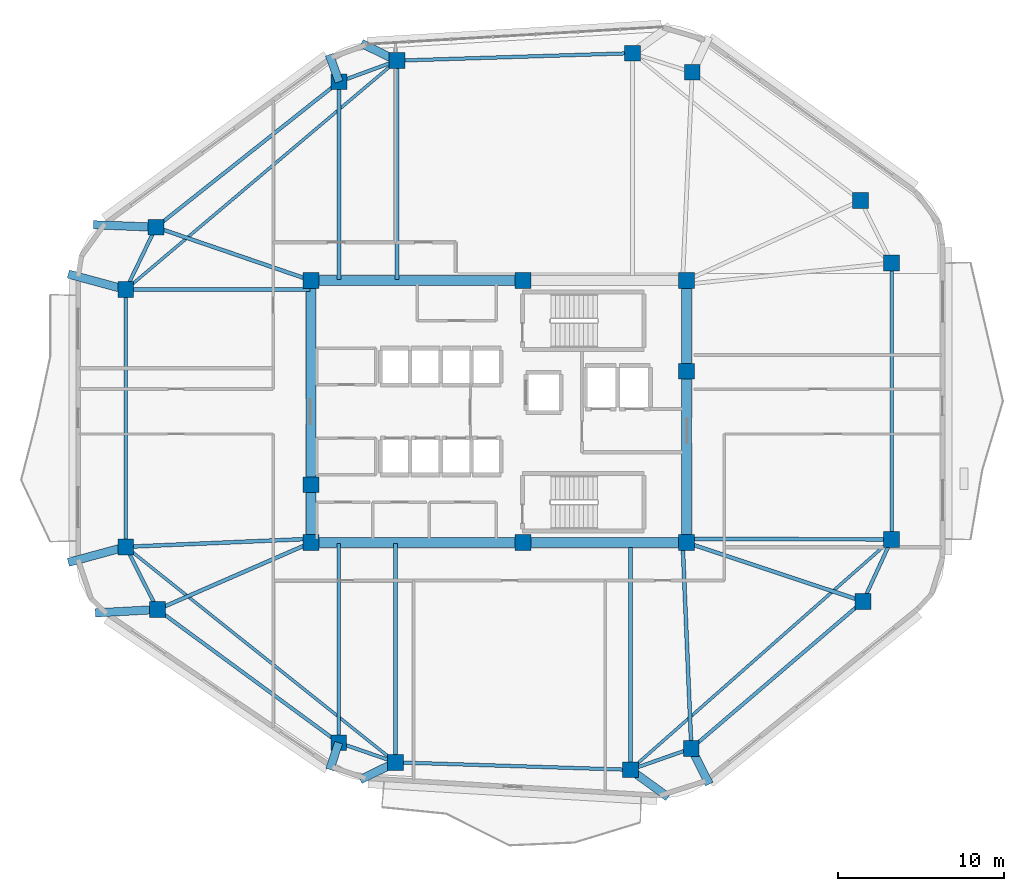
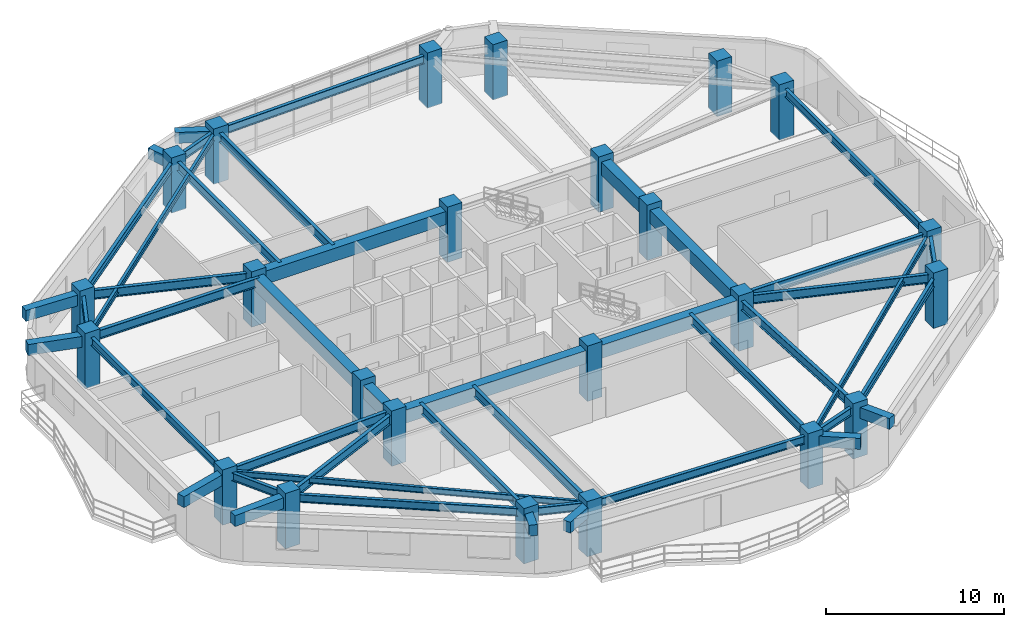
# One storey, part 1 of 14: 45 beams, 24 columns.
"""IFC4 building model written with IfcOpenShell, lengths in metres."""

from ifc_helpers import new_model, si_unit, direction, frame, origin, origin_2d, place, context, subcontext, project, spatial, rectangle, i_section, extrude, material, material_profile, profile_set, type_object, element, save


model = new_model("IFC4")

# Units and contexts
model_context = context("Model", 3, precision=1e-05, world=origin(), true_north=direction((0.0, 1.0)))
body_context = subcontext(model_context, "Body", "Model", "MODEL_VIEW")
ifc_project = project(units=[si_unit("LENGTHUNIT", "METRE"), si_unit("AREAUNIT", "SQUARE_METRE"), si_unit("VOLUMEUNIT", "CUBIC_METRE"), si_unit("PLANEANGLEUNIT", "RADIAN"), si_unit("MASSUNIT", "GRAM", prefix="KILO")], contexts=[model_context])

# Site, building, storey
site_placement = place(None, origin())
site = spatial("IfcSite", under=ifc_project, at=site_placement, CompositionType="ELEMENT")
building_placement = place(site_placement, origin())
building = spatial("IfcBuilding", under=site, at=building_placement, Name="Zulverin Broadcast Headquarters", CompositionType="ELEMENT")
storey_placement = place(building_placement, frame((0.0, 0.0, 216.199951171875)))
storey = spatial("IfcBuildingStorey", under=building, at=storey_placement, Name="L55", CompositionType="ELEMENT", Elevation=216.199951171875)

# Columns
ifc_material_1 = material(Name="Concrete C50/60", Category="concrete")
ifc_material_profile_1 = material_profile(ifc_material_1, rectangle(XDim=0.949951171875, YDim=0.949951171875, at=origin_2d()), Name="Concrete C50/60", Category="concrete")
ifc_profile_set_1 = profile_set([ifc_material_profile_1], Name="Concrete C50/60")
column_type_1 = type_object("IfcColumnType", Name="COL-RC-950", PredefinedType="COLUMN", material=ifc_profile_set_1)
for number, where, z_axis, x_axis, name in (
    (1, (30.80859375, 4.12744140625, 0.0), (0.0, 0.0, 1.0), (1.0, 0.0, 0.0), "L55 Perimeter Column T01"),
    (2, (44.909912109375, 3.68017578125, 0.0), (0.0, 0.0, 1.0), (1.0, 0.0, 0.0), "L55 Perimeter Column T02"),
    (3, (48.569580078125, 4.967041015625, 0.0), (0.0, 0.0, 1.0), (1.0, 0.0, 0.0), "L55 Perimeter Column T03"),
    (4, (58.886962890625, 13.798095703125, 0.0), (0.0, 0.0, 1.0), (1.0, 0.0, 0.0), "L55 Perimeter Column T04"),
    (5, (60.60009765625, 17.519287109375, 0.0), (0.0, 0.0, 1.0), (1.0, 0.0, 0.0), "L55 Perimeter Column T05"),
    (6, (60.60009765625, 34.12158203125, 0.0), (0.0, 0.0, 1.0), (1.0, 0.0, 0.0), "L55 Perimeter Column T06"),
    (7, (58.738037109375, 37.877685546875, 0.0), (0.0, 0.0, 1.0), (1.0, 0.0, 0.0), "L55 Perimeter Column T07"),
    (8, (48.62158203125, 45.574951171875, 0.0), (0.0, 0.0, 1.0), (1.0, 0.0, 0.0), "L55 Perimeter Column T08"),
    (9, (45.027587890625, 46.7236328125, 0.0), (0.0, 0.0, 1.0), (1.0, 0.0, 0.0), "L55 Perimeter Column T09"),
    (10, (30.882080078125, 46.27490234375, 0.0), (0.0, 0.0, 1.0), (1.0, 0.0, 0.0), "L55 Perimeter Column T10"),
    (11, (27.416259765625, 45.00439453125, 0.0), (0.0, 0.0, 1.0), (1.0, 0.0, 0.0), "L55 Perimeter Column T11"),
    (12, (16.40869140625, 36.26806640625, 0.0), (0.0, 0.0, 1.0), (1.0, 0.0, 0.0), "L55 Perimeter Column T12"),
    (13, (14.60009765625, 32.523193359375, 0.0), (0.0, 0.0, 1.0), (1.0, 0.0, 0.0), "L55 Perimeter Column T13"),
    (14, (14.60009765625, 17.072021484375, 0.0), (0.0, 0.0, 1.0), (1.0, 0.0, 0.0), "L55 Perimeter Column T14"),
    (15, (16.50537109375, 13.306884765625, 0.0), (0.0, 0.0, 1.0), (1.0, 0.0, 0.0), "L55 Perimeter Column T15"),
    (16, (27.38720703125, 5.309814453125, 0.0), (0.0, 0.0, 1.0), (1.0, 0.0, 0.0), "L55 Perimeter Column T16"),
):
    element("IfcColumn", number, at=place(storey_placement, frame(where, z_axis=z_axis, x_axis=x_axis)), inside=storey, type_object=column_type_1, Name=name, PredefinedType="COLUMN", context=body_context, shape_type="SweptSolid", body=[
        extrude(rectangle(XDim=0.949951171875, YDim=0.949951171875, at=origin_2d()), origin(), (0.0, 0.0, 1.0), 3.800048828125),
    ])
ifc_material_profile_2 = material_profile(ifc_material_1, rectangle(XDim=0.949951171875, YDim=0.949951171875, at=origin_2d()), Name="Concrete C50/60", Category="concrete")
ifc_profile_set_2 = profile_set([ifc_material_profile_2], Name="Concrete C50/60")
column_type_2 = type_object("IfcColumnType", Name="PIL-RC-950", PredefinedType="PILASTER", material=ifc_profile_set_2)
for number, where, z_axis, x_axis, name in (
    (17, (25.72509765625, 17.324951171875, 0.0), (0.0, 0.0, 1.0), (1.0, 0.0, 0.0), "L55 Core Pilaster K01"),
    (18, (38.449951171875, 17.324951171875, 0.0), (0.0, 0.0, 1.0), (1.0, 0.0, 0.0), "L55 Core Pilaster K02"),
    (19, (48.27490234375, 17.324951171875, 0.0), (0.0, 0.0, 1.0), (1.0, 0.0, 0.0), "L55 Core Pilaster K03"),
    (20, (48.27490234375, 27.6201171875, 0.0), (0.0, 0.0, 1.0), (1.0, 0.0, 0.0), "L55 Core Pilaster K04"),
    (21, (48.27490234375, 33.074951171875, 0.0), (0.0, 0.0, 1.0), (1.0, 0.0, 0.0), "L55 Core Pilaster K05"),
    (22, (38.449951171875, 33.074951171875, 0.0), (0.0, 0.0, 1.0), (1.0, 0.0, 0.0), "L55 Core Pilaster K06"),
    (23, (25.72509765625, 33.074951171875, 0.0), (0.0, 0.0, 1.0), (1.0, 0.0, 0.0), "L55 Core Pilaster K07"),
    (24, (25.72509765625, 20.800048828125, 0.0), (0.0, 0.0, 1.0), (1.0, 0.0, 0.0), "L55 Core Pilaster K08"),
):
    element("IfcColumn", number, at=place(storey_placement, frame(where, z_axis=z_axis, x_axis=x_axis)), inside=storey, type_object=column_type_2, Name=name, PredefinedType="PILASTER", context=body_context, shape_type="SweptSolid", body=[
        extrude(rectangle(XDim=0.949951171875, YDim=0.949951171875, at=origin_2d()), origin(), (0.0, 0.0, 1.0), 3.800048828125),
    ])

# Beams
ifc_material_2 = material(Name="Concrete C60/75", Category="concrete")
ifc_material_profile_3 = material_profile(ifc_material_2, rectangle(XDim=0.60009765625, YDim=0.89990234375, at=origin_2d()), Name="Concrete C60/75", Category="concrete")
ifc_profile_set_3 = profile_set([ifc_material_profile_3], Name="Concrete C60/75")
beam_type_1 = type_object("IfcBeamType", Name="BM-CB-600x900", PredefinedType="LINTEL", material=ifc_profile_set_3)
beam_1_placement = place(storey_placement, frame((25.72509765625, 17.324951171875, 2.949951171875), z_axis=(1.0, 0.0, 0.0), x_axis=(0.0, 1.0, 0.0)))
element("IfcBeam", 25, at=beam_1_placement, inside=storey, type_object=beam_type_1, Name="L55 Core Coupling Girder K01-K02", PredefinedType="LINTEL", context=body_context, shape_type="SweptSolid", body=[
    extrude(rectangle(XDim=0.60009765625, YDim=0.89990234375, at=origin_2d()), origin(), (0.0, 0.0, 1.0), 12.724853515625),
])
beam_2_placement = place(storey_placement, frame((38.449951171875, 17.324951171875, 2.949951171875), z_axis=(1.0, 0.0, 0.0), x_axis=(0.0, 1.0, 0.0)))
element("IfcBeam", 26, at=beam_2_placement, inside=storey, type_object=beam_type_1, Name="L55 Core Coupling Girder K02-K03", PredefinedType="LINTEL", context=body_context, shape_type="SweptSolid", body=[
    extrude(rectangle(XDim=0.60009765625, YDim=0.89990234375, at=origin_2d()), origin(), (0.0, 0.0, 1.0), 9.824951171875),
])
beam_3_placement = place(storey_placement, frame((48.27490234375, 17.324951171875, 2.949951171875), z_axis=(0.0, 1.0, 0.0), x_axis=(-1.0, 0.0, 0.0)))
element("IfcBeam", 27, at=beam_3_placement, inside=storey, type_object=beam_type_1, Name="L55 Core Coupling Girder K03-K04", PredefinedType="LINTEL", context=body_context, shape_type="SweptSolid", body=[
    extrude(rectangle(XDim=0.60009765625, YDim=0.89990234375, at=origin_2d()), origin(), (0.0, 0.0, 1.0), 10.295166015625),
])
beam_4_placement = place(storey_placement, frame((48.27490234375, 27.6201171875, 2.949951171875), z_axis=(0.0, 1.0, 0.0), x_axis=(-1.0, 0.0, 0.0)))
element("IfcBeam", 28, at=beam_4_placement, inside=storey, type_object=beam_type_1, Name="L55 Core Coupling Girder K04-K05", PredefinedType="LINTEL", context=body_context, shape_type="SweptSolid", body=[
    extrude(rectangle(XDim=0.60009765625, YDim=0.89990234375, at=origin_2d()), origin(), (0.0, 0.0, 1.0), 5.454833984375),
])
beam_5_placement = place(storey_placement, frame((38.449951171875, 33.074951171875, 2.949951171875), z_axis=(-1.0, 0.0, 0.0), x_axis=(0.0, -1.0, 0.0)))
element("IfcBeam", 29, at=beam_5_placement, inside=storey, type_object=beam_type_1, Name="L55 Core Coupling Girder K06-K07", PredefinedType="LINTEL", context=body_context, shape_type="SweptSolid", body=[
    extrude(rectangle(XDim=0.60009765625, YDim=0.89990234375, at=origin_2d()), origin(), (0.0, 0.0, 1.0), 12.724853515625),
])
beam_6_placement = place(storey_placement, frame((25.72509765625, 33.074951171875, 2.949951171875), z_axis=(0.0, -1.0, 0.0), x_axis=(1.0, 0.0, 0.0)))
element("IfcBeam", 30, at=beam_6_placement, inside=storey, type_object=beam_type_1, Name="L55 Core Coupling Girder K07-K08", PredefinedType="LINTEL", context=body_context, shape_type="SweptSolid", body=[
    extrude(rectangle(XDim=0.60009765625, YDim=0.89990234375, at=origin_2d()), origin(), (0.0, 0.0, 1.0), 12.27490234375),
])
beam_7_placement = place(storey_placement, frame((25.72509765625, 20.800048828125, 2.949951171875), z_axis=(0.0, -1.0, 0.0), x_axis=(1.0, 0.0, 0.0)))
element("IfcBeam", 31, at=beam_7_placement, inside=storey, type_object=beam_type_1, Name="L55 Core Coupling Girder K08-K01", PredefinedType="LINTEL", context=body_context, shape_type="SweptSolid", body=[
    extrude(rectangle(XDim=0.60009765625, YDim=0.89990234375, at=origin_2d()), origin(), (0.0, 0.0, 1.0), 3.47509765625),
])
ifc_material_3 = material(Name="Concrete C40/50", Category="concrete")
ifc_material_profile_4 = material_profile(ifc_material_3, rectangle(XDim=0.5, YDim=0.75, at=origin_2d()), Name="Concrete C40/50", Category="concrete")
ifc_profile_set_4 = profile_set([ifc_material_profile_4], Name="Concrete C40/50")
beam_type_2 = type_object("IfcBeamType", Name="BM-RC-500x750", PredefinedType="BEAM", material=ifc_profile_set_4)
beam_8_placement = place(storey_placement, frame((30.80859375, 4.12744140625, 3.025146484375), z_axis=(-0.898788224994, -0.438383082033, 0.0), x_axis=(0.438383082033, -0.898788224994, 0.0)))
element("IfcBeam", 32, at=beam_8_placement, inside=storey, type_object=beam_type_2, Name="L56 Plate Overhang Back-Spanned Beam OVR-01", PredefinedType="BEAM", context=body_context, shape_type="SweptSolid", body=[
    extrude(rectangle(XDim=0.5, YDim=0.75, at=origin_2d()), origin(), (0.0, 0.0, 1.0), 2.37255859375),
])
beam_9_placement = place(storey_placement, frame((44.909912109375, 3.68017578125, 3.025146484375), z_axis=(0.809819408398, -0.586679235854, 0.0), x_axis=(0.586679235854, 0.809819408398, 0.0)))
element("IfcBeam", 33, at=beam_9_placement, inside=storey, type_object=beam_type_2, Name="L56 Plate Overhang Back-Spanned Beam OVR-02", PredefinedType="BEAM", context=body_context, shape_type="SweptSolid", body=[
    extrude(rectangle(XDim=0.5, YDim=0.75, at=origin_2d()), origin(), (0.0, 0.0, 1.0), 2.80322265625),
])
beam_10_placement = place(storey_placement, frame((48.569580078125, 4.967041015625, 3.025146484375), z_axis=(0.448997742216, -0.893532891104, 0.0), x_axis=(0.893532891104, 0.448997742216, 0.0)))
element("IfcBeam", 34, at=beam_10_placement, inside=storey, type_object=beam_type_2, Name="L56 Plate Overhang Back-Spanned Beam OVR-03", PredefinedType="BEAM", context=body_context, shape_type="SweptSolid", body=[
    extrude(rectangle(XDim=0.5, YDim=0.75, at=origin_2d()), origin(), (0.0, 0.0, 1.0), 2.4072265625),
])
beam_11_placement = place(storey_placement, frame((30.882080078125, 46.27490234375, 3.025146484375), z_axis=(-0.898125825882, 0.439738559696, 0.0), x_axis=(-0.439738559696, -0.898125825882, 0.0)))
element("IfcBeam", 35, at=beam_11_placement, inside=storey, type_object=beam_type_2, Name="L56 Plate Overhang Back-Spanned Beam OVR-10", PredefinedType="BEAM", context=body_context, shape_type="SweptSolid", body=[
    extrude(rectangle(XDim=0.5, YDim=0.75, at=origin_2d()), origin(), (0.0, 0.0, 1.0), 2.36962890625),
])
beam_12_placement = place(storey_placement, frame((27.416259765625, 45.00439453125, 3.025146484375), z_axis=(-0.340939464108, 0.940085252418, 0.0), x_axis=(-0.940085252418, -0.340939464108, 0.0)))
element("IfcBeam", 36, at=beam_12_placement, inside=storey, type_object=beam_type_2, Name="L56 Plate Overhang Back-Spanned Beam OVR-11", PredefinedType="BEAM", context=body_context, shape_type="SweptSolid", body=[
    extrude(rectangle(XDim=0.5, YDim=0.75, at=origin_2d()), origin(), (0.0, 0.0, 1.0), 1.732177734375),
])
beam_13_placement = place(storey_placement, frame((16.40869140625, 36.26806640625, 3.025146484375), z_axis=(-0.999204701218, 0.039874366011, 0.0), x_axis=(-0.039874366011, -0.999204701218, 0.0)))
element("IfcBeam", 37, at=beam_13_placement, inside=storey, type_object=beam_type_2, Name="L56 Plate Overhang Back-Spanned Beam OVR-12", PredefinedType="BEAM", context=body_context, shape_type="SweptSolid", body=[
    extrude(rectangle(XDim=0.5, YDim=0.75, at=origin_2d()), origin(), (0.0, 0.0, 1.0), 3.7470703125),
])
beam_14_placement = place(storey_placement, frame((14.60009765625, 32.523193359375, 3.025146484375), z_axis=(-0.965250783157, 0.261325325245, 0.0), x_axis=(-0.261325325245, -0.965250783157, 0.0)))
element("IfcBeam", 38, at=beam_14_placement, inside=storey, type_object=beam_type_2, Name="L56 Plate Overhang Back-Spanned Beam OVR-13", PredefinedType="BEAM", context=body_context, shape_type="SweptSolid", body=[
    extrude(rectangle(XDim=0.5, YDim=0.75, at=origin_2d()), origin(), (0.0, 0.0, 1.0), 3.574462890625),
])
beam_15_placement = place(storey_placement, frame((14.60009765625, 17.072021484375, 3.025146484375), z_axis=(-0.965285233847, -0.261198042332, 0.0), x_axis=(0.261198042332, -0.965285233847, 0.0)))
element("IfcBeam", 39, at=beam_15_placement, inside=storey, type_object=beam_type_2, Name="L56 Plate Overhang Back-Spanned Beam OVR-14", PredefinedType="BEAM", context=body_context, shape_type="SweptSolid", body=[
    extrude(rectangle(XDim=0.5, YDim=0.75, at=origin_2d()), origin(), (0.0, 0.0, 1.0), 3.57421875),
])
beam_16_placement = place(storey_placement, frame((16.50537109375, 13.306884765625, 3.025146484375), z_axis=(-0.998515514192, -0.054468044924, 0.0), x_axis=(0.054468044924, -0.998515514192, 0.0)))
element("IfcBeam", 40, at=beam_16_placement, inside=storey, type_object=beam_type_2, Name="L56 Plate Overhang Back-Spanned Beam OVR-15", PredefinedType="BEAM", context=body_context, shape_type="SweptSolid", body=[
    extrude(rectangle(XDim=0.5, YDim=0.75, at=origin_2d()), origin(), (0.0, 0.0, 1.0), 3.73828125),
])
beam_17_placement = place(storey_placement, frame((27.38720703125, 5.309814453125, 3.025146484375), z_axis=(-0.312733243751, -0.9498409963, 0.0), x_axis=(0.9498409963, -0.312733243751, 0.0)))
element("IfcBeam", 41, at=beam_17_placement, inside=storey, type_object=beam_type_2, Name="L56 Plate Overhang Back-Spanned Beam OVR-16", PredefinedType="BEAM", context=body_context, shape_type="SweptSolid", body=[
    extrude(rectangle(XDim=0.5, YDim=0.75, at=origin_2d()), origin(), (0.0, 0.0, 1.0), 1.69873046875),
])
ifc_material_4 = material(Name="Structural steel S355JR", Category="steel")
ifc_material_profile_5 = material_profile(ifc_material_4, i_section(OverallWidth=0.179443359375, OverallDepth=0.412841796875, WebThickness=0.009521484375, FlangeThickness=0.01611328125, at=origin_2d()), Name="Structural steel S355JR", Category="steel")
ifc_profile_set_5 = profile_set([ifc_material_profile_5], Name="Structural steel S355JR")
beam_type_3 = type_object("IfcBeamType", Name="BM-UB-406", PredefinedType="JOIST", material=ifc_profile_set_5)
beam_18_placement = place(storey_placement, frame((44.909912109375, 3.68017578125, 3.193603515625), z_axis=(0.74996043981, 0.661482682102, 0.0), x_axis=(-0.661482682102, 0.74996043981, 0.0)))
element("IfcBeam", 42, at=beam_18_placement, inside=storey, type_object=beam_type_3, Name="L55 Chordal Floor Joist J-01", PredefinedType="JOIST", context=body_context, shape_type="SweptSolid", body=[
    extrude(i_section(OverallWidth=0.179443359375, OverallDepth=0.412841796875, WebThickness=0.009521484375, FlangeThickness=0.01611328125, at=origin_2d()), origin(), (0.0, 0.0, 1.0), 20.92138671875),
])
beam_19_placement = place(storey_placement, frame((30.882080078125, 46.27490234375, 3.193603515625), z_axis=(-0.763972566446, -0.645248725468, 0.0), x_axis=(0.645248725468, -0.763972566446, 0.0)))
element("IfcBeam", 43, at=beam_19_placement, inside=storey, type_object=beam_type_3, Name="L55 Chordal Floor Joist J-03", PredefinedType="JOIST", context=body_context, shape_type="SweptSolid", body=[
    extrude(i_section(OverallWidth=0.179443359375, OverallDepth=0.412841796875, WebThickness=0.009521484375, FlangeThickness=0.01611328125, at=origin_2d()), origin(), (0.0, 0.0, 1.0), 21.312255859375),
])
beam_20_placement = place(storey_placement, frame((14.60009765625, 17.072021484375, 3.193603515625), z_axis=(0.781390996609, -0.624041753746, 0.0), x_axis=(0.624041753746, 0.781390996609, 0.0)))
element("IfcBeam", 44, at=beam_20_placement, inside=storey, type_object=beam_type_3, Name="L55 Chordal Floor Joist J-04", PredefinedType="JOIST", context=body_context, shape_type="SweptSolid", body=[
    extrude(i_section(OverallWidth=0.179443359375, OverallDepth=0.412841796875, WebThickness=0.009521484375, FlangeThickness=0.01611328125, at=origin_2d()), origin(), (0.0, 0.0, 1.0), 20.7431640625),
])
ifc_material_profile_6 = material_profile(ifc_material_4, i_section(OverallWidth=0.2119140625, OverallDepth=0.54443359375, WebThickness=0.0126953125, FlangeThickness=0.021240234375, at=origin_2d()), Name="Structural steel S355JR", Category="steel")
ifc_profile_set_6 = profile_set([ifc_material_profile_6], Name="Structural steel S355JR")
beam_type_4 = type_object("IfcBeamType", Name="BM-UB-533", PredefinedType="SPANDREL", material=ifc_profile_set_6)
beam_21_placement = place(storey_placement, frame((30.80859375, 4.12744140625, 3.127685546875), z_axis=(0.999497363437, -0.031702058031, 0.0), x_axis=(0.031702058031, 0.999497363437, 0.0)))
element("IfcBeam", 45, at=beam_21_placement, inside=storey, type_object=beam_type_4, Name="L55 Perimeter Spandrel Beam SP-01", PredefinedType="SPANDREL", context=body_context, shape_type="SweptSolid", body=[
    extrude(i_section(OverallWidth=0.2119140625, OverallDepth=0.54443359375, WebThickness=0.0126953125, FlangeThickness=0.021240234375, at=origin_2d()), origin(), (0.0, 0.0, 1.0), 14.1083984375),
])
beam_22_placement = place(storey_placement, frame((44.909912109375, 3.68017578125, 3.127685546875), z_axis=(0.943376593622, 0.331723684121, 0.0), x_axis=(-0.331723684121, 0.943376593622, 0.0)))
element("IfcBeam", 46, at=beam_22_placement, inside=storey, type_object=beam_type_4, Name="L55 Perimeter Spandrel Beam SP-02", PredefinedType="SPANDREL", context=body_context, shape_type="SweptSolid", body=[
    extrude(i_section(OverallWidth=0.2119140625, OverallDepth=0.54443359375, WebThickness=0.0126953125, FlangeThickness=0.021240234375, at=origin_2d()), origin(), (0.0, 0.0, 1.0), 3.87939453125),
])
beam_23_placement = place(storey_placement, frame((48.569580078125, 4.967041015625, 3.127685546875), z_axis=(0.759708170965, 0.650264173217, 0.0), x_axis=(-0.650264173217, 0.759708170965, 0.0)))
element("IfcBeam", 47, at=beam_23_placement, inside=storey, type_object=beam_type_4, Name="L55 Perimeter Spandrel Beam SP-03", PredefinedType="SPANDREL", context=body_context, shape_type="SweptSolid", body=[
    extrude(i_section(OverallWidth=0.2119140625, OverallDepth=0.54443359375, WebThickness=0.0126953125, FlangeThickness=0.021240234375, at=origin_2d()), origin(), (0.0, 0.0, 1.0), 13.580810546875),
])
beam_24_placement = place(storey_placement, frame((58.886962890625, 13.798095703125, 3.127685546875), z_axis=(0.418184975358, 0.90836189175, 0.0), x_axis=(-0.90836189175, 0.418184975358, 0.0)))
element("IfcBeam", 48, at=beam_24_placement, inside=storey, type_object=beam_type_4, Name="L55 Perimeter Spandrel Beam SP-04", PredefinedType="SPANDREL", context=body_context, shape_type="SweptSolid", body=[
    extrude(i_section(OverallWidth=0.2119140625, OverallDepth=0.54443359375, WebThickness=0.0126953125, FlangeThickness=0.021240234375, at=origin_2d()), origin(), (0.0, 0.0, 1.0), 4.0966796875),
])
beam_25_placement = place(storey_placement, frame((60.60009765625, 17.519287109375, 3.127685546875), z_axis=(0.0, 1.0, 0.0), x_axis=(-1.0, 0.0, 0.0)))
element("IfcBeam", 49, at=beam_25_placement, inside=storey, type_object=beam_type_4, Name="L55 Perimeter Spandrel Beam SP-05", PredefinedType="SPANDREL", context=body_context, shape_type="SweptSolid", body=[
    extrude(i_section(OverallWidth=0.2119140625, OverallDepth=0.54443359375, WebThickness=0.0126953125, FlangeThickness=0.021240234375, at=origin_2d()), origin(), (0.0, 0.0, 1.0), 16.602294921875),
])
beam_26_placement = place(storey_placement, frame((45.027587890625, 46.7236328125, 3.127685546875), z_axis=(-0.999497221833, -0.031706522156, 0.0), x_axis=(0.031706522156, -0.999497221833, 0.0)))
element("IfcBeam", 50, at=beam_26_placement, inside=storey, type_object=beam_type_4, Name="L55 Perimeter Spandrel Beam SP-09", PredefinedType="SPANDREL", context=body_context, shape_type="SweptSolid", body=[
    extrude(i_section(OverallWidth=0.2119140625, OverallDepth=0.54443359375, WebThickness=0.0126953125, FlangeThickness=0.021240234375, at=origin_2d()), origin(), (0.0, 0.0, 1.0), 14.152587890625),
])
beam_27_placement = place(storey_placement, frame((30.882080078125, 46.27490234375, 3.127685546875), z_axis=(-0.938901965426, -0.344184687805, 0.0), x_axis=(0.344184687805, -0.938901965426, 0.0)))
element("IfcBeam", 51, at=beam_27_placement, inside=storey, type_object=beam_type_4, Name="L55 Perimeter Spandrel Beam SP-10", PredefinedType="SPANDREL", context=body_context, shape_type="SweptSolid", body=[
    extrude(i_section(OverallWidth=0.2119140625, OverallDepth=0.54443359375, WebThickness=0.0126953125, FlangeThickness=0.021240234375, at=origin_2d()), origin(), (0.0, 0.0, 1.0), 3.69140625),
])
beam_28_placement = place(storey_placement, frame((27.416259765625, 45.00439453125, 3.127685546875), z_axis=(-0.783283263401, -0.621664965457, 0.0), x_axis=(0.621664965457, -0.783283263401, 0.0)))
element("IfcBeam", 52, at=beam_28_placement, inside=storey, type_object=beam_type_4, Name="L55 Perimeter Spandrel Beam SP-11", PredefinedType="SPANDREL", context=body_context, shape_type="SweptSolid", body=[
    extrude(i_section(OverallWidth=0.2119140625, OverallDepth=0.54443359375, WebThickness=0.0126953125, FlangeThickness=0.021240234375, at=origin_2d()), origin(), (0.0, 0.0, 1.0), 14.05322265625),
])
beam_29_placement = place(storey_placement, frame((16.40869140625, 36.26806640625, 3.127685546875), z_axis=(-0.434890248034, -0.900483465792, 0.0), x_axis=(0.900483465792, -0.434890248034, 0.0)))
element("IfcBeam", 53, at=beam_29_placement, inside=storey, type_object=beam_type_4, Name="L55 Perimeter Spandrel Beam SP-12", PredefinedType="SPANDREL", context=body_context, shape_type="SweptSolid", body=[
    extrude(i_section(OverallWidth=0.2119140625, OverallDepth=0.54443359375, WebThickness=0.0126953125, FlangeThickness=0.021240234375, at=origin_2d()), origin(), (0.0, 0.0, 1.0), 4.15869140625),
])
beam_30_placement = place(storey_placement, frame((14.60009765625, 32.523193359375, 3.127685546875), z_axis=(0.0, -1.0, 0.0), x_axis=(1.0, 0.0, 0.0)))
element("IfcBeam", 54, at=beam_30_placement, inside=storey, type_object=beam_type_4, Name="L55 Perimeter Spandrel Beam SP-13", PredefinedType="SPANDREL", context=body_context, shape_type="SweptSolid", body=[
    extrude(i_section(OverallWidth=0.2119140625, OverallDepth=0.54443359375, WebThickness=0.0126953125, FlangeThickness=0.021240234375, at=origin_2d()), origin(), (0.0, 0.0, 1.0), 15.451171875),
])
beam_31_placement = place(storey_placement, frame((14.60009765625, 17.072021484375, 3.127685546875), z_axis=(0.451512947895, -0.892264567201, 0.0), x_axis=(0.892264567201, 0.451512947895, 0.0)))
element("IfcBeam", 55, at=beam_31_placement, inside=storey, type_object=beam_type_4, Name="L55 Perimeter Spandrel Beam SP-14", PredefinedType="SPANDREL", context=body_context, shape_type="SweptSolid", body=[
    extrude(i_section(OverallWidth=0.2119140625, OverallDepth=0.54443359375, WebThickness=0.0126953125, FlangeThickness=0.021240234375, at=origin_2d()), origin(), (0.0, 0.0, 1.0), 4.2197265625),
])
beam_32_placement = place(storey_placement, frame((16.50537109375, 13.306884765625, 3.127685546875), z_axis=(0.805802234061, -0.592184734338, 0.0), x_axis=(0.592184734338, 0.805802234061, 0.0)))
element("IfcBeam", 56, at=beam_32_placement, inside=storey, type_object=beam_type_4, Name="L55 Perimeter Spandrel Beam SP-15", PredefinedType="SPANDREL", context=body_context, shape_type="SweptSolid", body=[
    extrude(i_section(OverallWidth=0.2119140625, OverallDepth=0.54443359375, WebThickness=0.0126953125, FlangeThickness=0.021240234375, at=origin_2d()), origin(), (0.0, 0.0, 1.0), 13.50439453125),
])
beam_33_placement = place(storey_placement, frame((27.38720703125, 5.309814453125, 3.127685546875), z_axis=(0.945152732867, -0.326628705956, 0.0), x_axis=(0.326628705956, 0.945152732867, 0.0)))
element("IfcBeam", 57, at=beam_33_placement, inside=storey, type_object=beam_type_4, Name="L55 Perimeter Spandrel Beam SP-16", PredefinedType="SPANDREL", context=body_context, shape_type="SweptSolid", body=[
    extrude(i_section(OverallWidth=0.2119140625, OverallDepth=0.54443359375, WebThickness=0.0126953125, FlangeThickness=0.021240234375, at=origin_2d()), origin(), (0.0, 0.0, 1.0), 3.619873046875),
])
ifc_material_profile_7 = material_profile(ifc_material_4, i_section(OverallWidth=0.230224609375, OverallDepth=0.6171875, WebThickness=0.01318359375, FlangeThickness=0.022216796875, at=origin_2d()), Name="Structural steel S355JR", Category="steel")
ifc_profile_set_7 = profile_set([ifc_material_profile_7], Name="Structural steel S355JR")
beam_type_5 = type_object("IfcBeamType", Name="BM-UB-610", PredefinedType="BEAM", material=ifc_profile_set_7)
beam_34_placement = place(storey_placement, frame((30.80859375, 17.27490234375, 3.091552734375), z_axis=(0.0, -1.0, 0.0), x_axis=(1.0, 0.0, 0.0)))
element("IfcBeam", 58, at=beam_34_placement, inside=storey, type_object=beam_type_5, Name="L55 Radial Primary Floor Beam RB-01", PredefinedType="BEAM", context=body_context, shape_type="SweptSolid", body=[
    extrude(i_section(OverallWidth=0.230224609375, OverallDepth=0.6171875, WebThickness=0.01318359375, FlangeThickness=0.022216796875, at=origin_2d()), origin(), (0.0, 0.0, 1.0), 13.1474609375),
])
beam_35_placement = place(storey_placement, frame((44.909912109375, 17.27490234375, 3.091552734375), z_axis=(0.0, -1.0, 0.0), x_axis=(1.0, 0.0, 0.0)))
element("IfcBeam", 59, at=beam_35_placement, inside=storey, type_object=beam_type_5, Name="L55 Radial Primary Floor Beam RB-02", PredefinedType="BEAM", context=body_context, shape_type="SweptSolid", body=[
    extrude(i_section(OverallWidth=0.230224609375, OverallDepth=0.6171875, WebThickness=0.01318359375, FlangeThickness=0.022216796875, at=origin_2d()), origin(), (0.0, 0.0, 1.0), 13.5947265625),
])
beam_36_placement = place(storey_placement, frame((48.050048828125, 17.27490234375, 3.091552734375), z_axis=(0.042173778549, -0.99911029041, 0.0), x_axis=(0.99911029041, 0.042173778549, 0.0)))
element("IfcBeam", 60, at=beam_36_placement, inside=storey, type_object=beam_type_5, Name="L55 Radial Primary Floor Beam RB-03", PredefinedType="BEAM", context=body_context, shape_type="SweptSolid", body=[
    extrude(i_section(OverallWidth=0.230224609375, OverallDepth=0.6171875, WebThickness=0.01318359375, FlangeThickness=0.022216796875, at=origin_2d()), origin(), (0.0, 0.0, 1.0), 12.31884765625),
])
beam_37_placement = place(storey_placement, frame((48.27490234375, 17.324951171875, 3.091552734375), z_axis=(0.948964552547, -0.315382748432, 0.0), x_axis=(0.315382748432, 0.948964552547, 0.0)))
element("IfcBeam", 61, at=beam_37_placement, inside=storey, type_object=beam_type_5, Name="L55 Radial Primary Floor Beam RB-04", PredefinedType="BEAM", context=body_context, shape_type="SweptSolid", body=[
    extrude(i_section(OverallWidth=0.230224609375, OverallDepth=0.6171875, WebThickness=0.01318359375, FlangeThickness=0.022216796875, at=origin_2d()), origin(), (0.0, 0.0, 1.0), 11.182861328125),
])
beam_38_placement = place(storey_placement, frame((48.324951171875, 17.550048828125, 3.091552734375), z_axis=(0.999996859956, -0.002506008559, 0.0), x_axis=(0.002506008559, 0.999996859956, 0.0)))
element("IfcBeam", 62, at=beam_38_placement, inside=storey, type_object=beam_type_5, Name="L55 Radial Primary Floor Beam RB-05", PredefinedType="BEAM", context=body_context, shape_type="SweptSolid", body=[
    extrude(i_section(OverallWidth=0.230224609375, OverallDepth=0.6171875, WebThickness=0.01318359375, FlangeThickness=0.022216796875, at=origin_2d()), origin(), (0.0, 0.0, 1.0), 12.275146484375),
])
beam_39_placement = place(storey_placement, frame((30.882080078125, 33.125, 3.091552734375), z_axis=(0.0, 1.0, 0.0), x_axis=(-1.0, 0.0, 0.0)))
element("IfcBeam", 63, at=beam_39_placement, inside=storey, type_object=beam_type_5, Name="L55 Radial Primary Floor Beam RB-10", PredefinedType="BEAM", context=body_context, shape_type="SweptSolid", body=[
    extrude(i_section(OverallWidth=0.230224609375, OverallDepth=0.6171875, WebThickness=0.01318359375, FlangeThickness=0.022216796875, at=origin_2d()), origin(), (0.0, 0.0, 1.0), 13.14990234375),
])
beam_40_placement = place(storey_placement, frame((27.416259765625, 33.125, 3.091552734375), z_axis=(0.0, 1.0, 0.0), x_axis=(-1.0, 0.0, 0.0)))
element("IfcBeam", 64, at=beam_40_placement, inside=storey, type_object=beam_type_5, Name="L55 Radial Primary Floor Beam RB-11", PredefinedType="BEAM", context=body_context, shape_type="SweptSolid", body=[
    extrude(i_section(OverallWidth=0.230224609375, OverallDepth=0.6171875, WebThickness=0.01318359375, FlangeThickness=0.022216796875, at=origin_2d()), origin(), (0.0, 0.0, 1.0), 11.87939453125),
])
beam_41_placement = place(storey_placement, frame((25.72509765625, 33.074951171875, 3.091552734375), z_axis=(-0.945979621685, 0.324226086793, 0.0), x_axis=(-0.324226086793, -0.945979621685, 0.0)))
element("IfcBeam", 65, at=beam_41_placement, inside=storey, type_object=beam_type_5, Name="L55 Radial Primary Floor Beam RB-12", PredefinedType="BEAM", context=body_context, shape_type="SweptSolid", body=[
    extrude(i_section(OverallWidth=0.230224609375, OverallDepth=0.6171875, WebThickness=0.01318359375, FlangeThickness=0.022216796875, at=origin_2d()), origin(), (0.0, 0.0, 1.0), 9.848388671875),
])
beam_42_placement = place(storey_placement, frame((25.675048828125, 32.523193359375, 3.091552734375), z_axis=(-1.0, 0.0, 0.0), x_axis=(0.0, -1.0, 0.0)))
element("IfcBeam", 66, at=beam_42_placement, inside=storey, type_object=beam_type_5, Name="L55 Radial Primary Floor Beam RB-13", PredefinedType="BEAM", context=body_context, shape_type="SweptSolid", body=[
    extrude(i_section(OverallWidth=0.230224609375, OverallDepth=0.6171875, WebThickness=0.01318359375, FlangeThickness=0.022216796875, at=origin_2d()), origin(), (0.0, 0.0, 1.0), 11.074951171875),
])
beam_43_placement = place(storey_placement, frame((25.675048828125, 17.550048828125, 3.091552734375), z_axis=(-0.999069780306, -0.043122779134, 0.0), x_axis=(0.043122779134, -0.999069780306, 0.0)))
element("IfcBeam", 67, at=beam_43_placement, inside=storey, type_object=beam_type_5, Name="L55 Radial Primary Floor Beam RB-14", PredefinedType="BEAM", context=body_context, shape_type="SweptSolid", body=[
    extrude(i_section(OverallWidth=0.230224609375, OverallDepth=0.6171875, WebThickness=0.01318359375, FlangeThickness=0.022216796875, at=origin_2d()), origin(), (0.0, 0.0, 1.0), 11.085205078125),
])
beam_44_placement = place(storey_placement, frame((25.72509765625, 17.324951171875, 3.091552734375), z_axis=(-0.916724690104, -0.39951951461, 0.0), x_axis=(0.39951951461, -0.916724690104, 0.0)))
element("IfcBeam", 68, at=beam_44_placement, inside=storey, type_object=beam_type_5, Name="L55 Radial Primary Floor Beam RB-15", PredefinedType="BEAM", context=body_context, shape_type="SweptSolid", body=[
    extrude(i_section(OverallWidth=0.230224609375, OverallDepth=0.6171875, WebThickness=0.01318359375, FlangeThickness=0.022216796875, at=origin_2d()), origin(), (0.0, 0.0, 1.0), 10.05712890625),
])
beam_45_placement = place(storey_placement, frame((27.38720703125, 17.27490234375, 3.091552734375), z_axis=(0.0, -1.0, 0.0), x_axis=(1.0, 0.0, 0.0)))
element("IfcBeam", 69, at=beam_45_placement, inside=storey, type_object=beam_type_5, Name="L55 Radial Primary Floor Beam RB-16", PredefinedType="BEAM", context=body_context, shape_type="SweptSolid", body=[
    extrude(i_section(OverallWidth=0.230224609375, OverallDepth=0.6171875, WebThickness=0.01318359375, FlangeThickness=0.022216796875, at=origin_2d()), origin(), (0.0, 0.0, 1.0), 11.965087890625),
])

save(model, "model.ifc")
